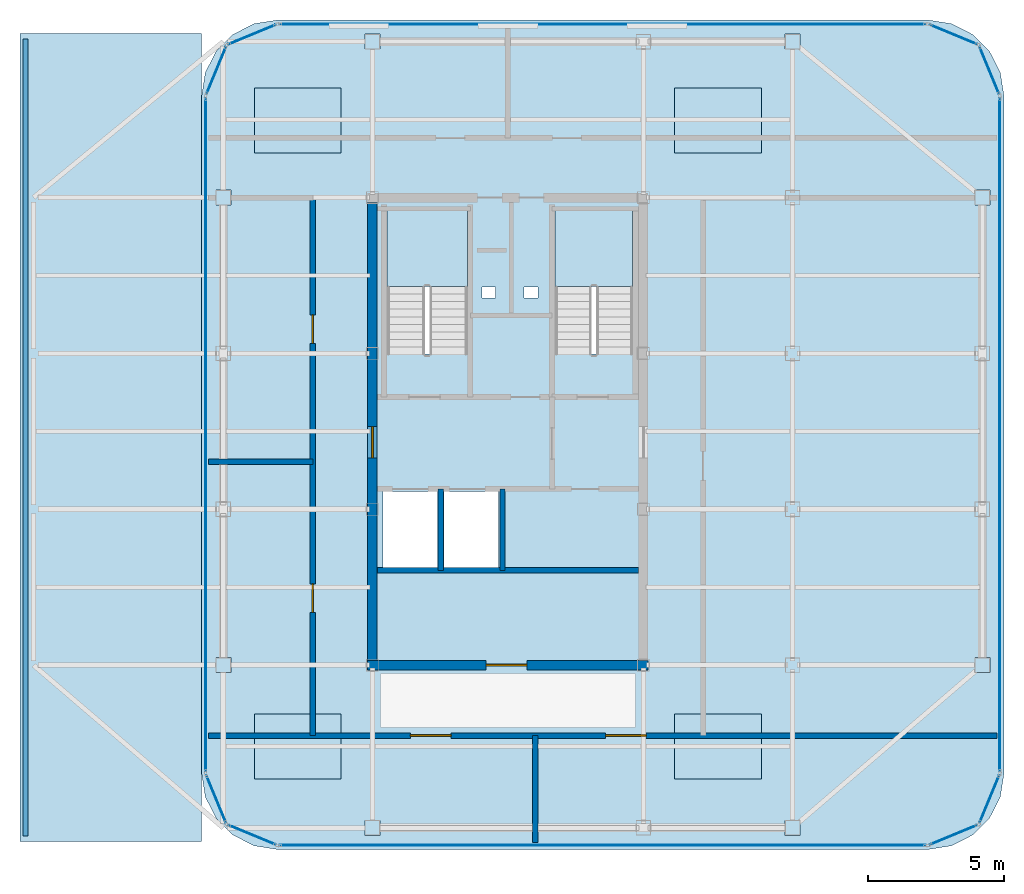
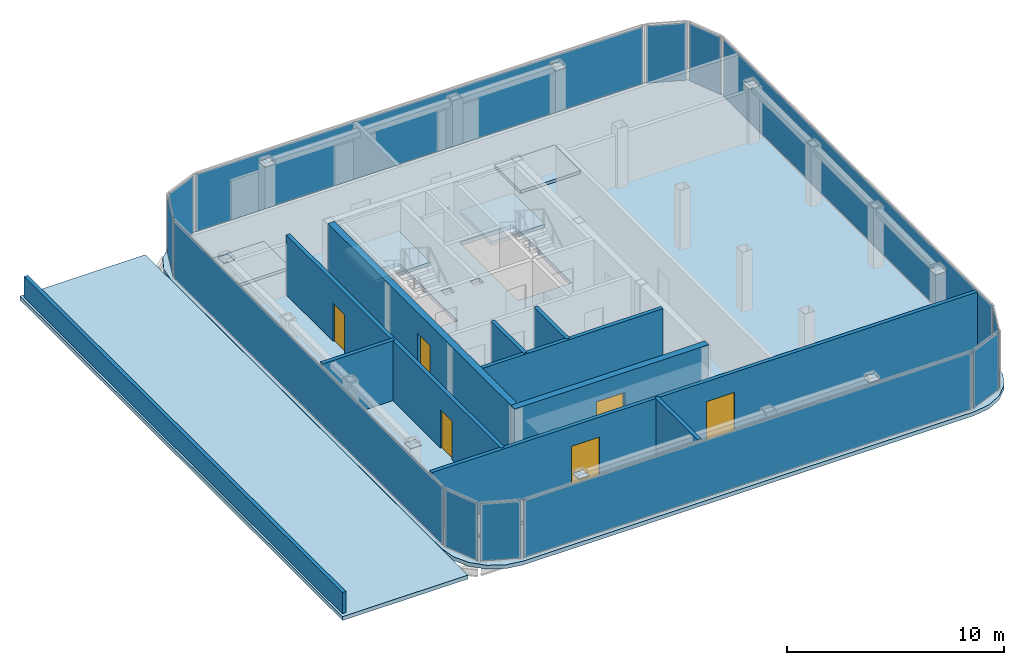
# One storey, part 9 of 11: 20 plates, 10 walls, 8 slabs, 6 doors, 6 openings, 14 elements without a shape of their own.
"""IFC4 building model written with IfcOpenShell, lengths in metres."""

from ifc_helpers import new_model, si_unit, direction, frame, frame_2d, origin, origin_2d, place, context, subcontext, project, spatial, polyline, rectangle, outline, extrude, source, transform, mapped, material, layer, layer_set, type_object, element, fill, aggregate, save


model = new_model("IFC4")

# Units and contexts
model_context = context("Model", 3, precision=1e-05, world=origin(), true_north=direction((0.0, 1.0)))
body_context = subcontext(model_context, "Body", "Model", "MODEL_VIEW")
ifc_project = project(units=[si_unit("LENGTHUNIT", "METRE"), si_unit("AREAUNIT", "SQUARE_METRE"), si_unit("VOLUMEUNIT", "CUBIC_METRE"), si_unit("PLANEANGLEUNIT", "RADIAN"), si_unit("MASSUNIT", "GRAM", prefix="KILO")], contexts=[model_context])

# Site, building, storey
site_placement = place(None, origin())
site = spatial("IfcSite", under=ifc_project, at=site_placement, CompositionType="ELEMENT")
building_placement = place(site_placement, origin())
building = spatial("IfcBuilding", under=site, at=building_placement, Name="Kolveth Station Tower", CompositionType="ELEMENT")
storey_placement = place(building_placement, frame((0.0, 0.0, 278.5)))
storey = spatial("IfcBuildingStorey", under=building, at=storey_placement, Name="L80", CompositionType="ELEMENT", Elevation=278.5)

# Slab
ifc_material_1 = material(Name="Concrete C40/50", Category="concrete")
ifc_layer_1 = layer(ifc_material_1, 0.219970703125)
ifc_layer_set_1 = layer_set([ifc_layer_1], Name="Concrete C40/50")
slab_type_1 = type_object("IfcSlabType", Name="Slab_SF-220", PredefinedType="FLOOR", material=ifc_layer_set_1)
slab_1_placement = place(storey_placement, frame((0.0, 0.0, -0.219970703125)))
element("IfcSlab", 1, at=slab_1_placement, inside=storey, type_object=slab_type_1, Name="L80 Tower Structural Floor Slab", PredefinedType="FLOOR", context=body_context, shape_type="SweptSolid", body=[
    extrude(outline(polyline([(39.0, 4.699951171875), (39.865234375, 4.8369140625), (40.645751953125, 5.23486328125), (41.26513671875, 5.854248046875), (41.6630859375, 6.634765625), (41.800048828125, 7.5), (41.800048828125, 32.5), (41.6630859375, 33.365234375), (41.26513671875, 34.145751953125), (40.645751953125, 34.76513671875), (39.865234375, 35.1630859375), (39.0, 35.300048828125), (15.0, 35.300048828125), (14.134765625, 35.1630859375), (13.354248046875, 34.76513671875), (12.73486328125, 34.145751953125), (12.3369140625, 33.365234375), (12.199951171875, 32.5), (12.199951171875, 7.5), (12.3369140625, 6.634765625), (12.73486328125, 5.854248046875), (13.354248046875, 5.23486328125), (14.134765625, 4.8369140625), (15.0, 4.699951171875), (39.0, 4.699951171875)]), holes=[polyline([(19.0400390625, 22.985107421875), (22.0, 22.985107421875), (22.0, 28.39990234375), (19.0400390625, 28.39990234375), (19.0400390625, 22.985107421875)]), polyline([(25.239990234375, 22.985107421875), (28.10009765625, 22.985107421875), (28.10009765625, 28.39990234375), (25.239990234375, 28.39990234375), (25.239990234375, 22.985107421875)]), polyline([(18.89990234375, 15.10009765625), (20.89990234375, 15.10009765625), (20.89990234375, 17.89990234375), (18.89990234375, 17.89990234375), (18.89990234375, 15.10009765625)]), polyline([(21.14990234375, 15.10009765625), (23.14990234375, 15.10009765625), (23.14990234375, 17.89990234375), (21.14990234375, 17.89990234375), (21.14990234375, 15.10009765625)]), polyline([(22.550048828125, 25.050048828125), (23.050048828125, 25.050048828125), (23.050048828125, 25.449951171875), (22.550048828125, 25.449951171875), (22.550048828125, 25.050048828125)]), polyline([(24.10009765625, 25.050048828125), (24.60009765625, 25.050048828125), (24.60009765625, 25.449951171875), (24.10009765625, 25.449951171875), (24.10009765625, 25.050048828125)])]), origin(), (0.0, 0.0, 1.0), 0.219970703125),
])

# Stair, slab
stair_type_1 = type_object("IfcStairType", Name="Stair_ST2", PredefinedType="HALF_TURN_STAIR", material=ifc_material_1)
stair_1_placement = place(storey_placement, origin())
stair_1 = element("IfcStair", 2, at=stair_1_placement, inside=storey, type_object=stair_type_1, Name="L80 Tower Exit Stair ST2", PredefinedType="HALF_TURN_STAIR")
ifc_layer_2 = layer(ifc_material_1, 0.18994140625)
ifc_layer_set_2 = layer_set([ifc_layer_2], Name="Concrete C40/50")
slab_type_2 = type_object("IfcSlabType", Name="Slab_SL-190", PredefinedType="LANDING", material=ifc_layer_set_2)
slab_2_placement = place(storey_placement, frame((0.0, 0.0, 1.60009765625)))
slab_2 = element("IfcSlab", 3, at=slab_2_placement, type_object=slab_type_2, Name="ST2 landing 1", PredefinedType="LANDING", context=body_context, shape_type="SweptSolid", body=[
    extrude(outline(polyline([(28.10009765625, 25.469970703125), (28.10009765625, 28.39990234375), (25.239990234375, 28.39990234375), (25.239990234375, 25.469970703125), (28.10009765625, 25.469970703125)])), origin(), (0.0, 0.0, 1.0), 0.199951171875),
])
aggregate(stair_1, [slab_2])

stair_type_2 = type_object("IfcStairType", Name="Stair_ST1", PredefinedType="HALF_TURN_STAIR", material=ifc_material_1)
stair_2_placement = place(storey_placement, origin())
stair_2 = element("IfcStair", 4, at=stair_2_placement, inside=storey, type_object=stair_type_2, Name="L80 Tower Exit Stair ST1", PredefinedType="HALF_TURN_STAIR")
ifc_layer_3 = layer(ifc_material_1, 0.205078125)
ifc_layer_set_3 = layer_set([ifc_layer_3], Name="Concrete C40/50")
slab_type_3 = type_object("IfcSlabType", Name="Slab_SL-205", PredefinedType="LANDING", material=ifc_layer_set_3)
slab_3_placement = place(storey_placement, frame((0.0, 0.0, 1.60009765625)))
slab_3 = element("IfcSlab", 5, at=slab_3_placement, type_object=slab_type_3, Name="ST1 landing 1", PredefinedType="LANDING", context=body_context, shape_type="SweptSolid", body=[
    extrude(outline(polyline([(22.0, 25.469970703125), (22.0, 28.39990234375), (19.0400390625, 28.39990234375), (19.0400390625, 25.469970703125), (22.0, 25.469970703125)])), origin(), (0.0, 0.0, 1.0), 0.199951171875),
])
aggregate(stair_2, [slab_3])

# Slab
ifc_layer_4 = layer(ifc_material_1, 0.219970703125)
ifc_layer_set_4 = layer_set([ifc_layer_4], Name="Concrete C40/50")
slab_type_4 = type_object("IfcSlabType", Name="Slab_SR-220", PredefinedType="ROOF", material=ifc_layer_set_4)
slab_4_placement = place(storey_placement, frame((0.0, 0.0, -0.219970703125)))
element("IfcSlab", 6, at=slab_4_placement, inside=storey, type_object=slab_type_4, Name="L80 Crown Step 2 Flat Roof Slab", PredefinedType="ROOF", context=body_context, shape_type="SweptSolid", body=[
    extrude(outline(polyline([(5.5, 5.0), (12.18994140625, 5.0), (12.18994140625, 34.800048828125), (5.5, 34.800048828125), (5.5, 5.0)])), origin(), (0.0, 0.0, 1.0), 0.219970703125),
])

# Plates
ifc_material_2 = material(Name="Steel S355", Category="steel")
ifc_layer_5 = layer(ifc_material_2, 0.028076171875)
ifc_layer_set_5 = layer_set([ifc_layer_5], Name="Steel S355")
plate_type_1 = type_object("IfcPlateType", Name="Plate_CP1", PredefinedType="USERDEFINED", material=ifc_layer_set_5)
shared_shape_1 = source(origin(), body_context, "Body", "SweptSolid", [
    extrude(rectangle(XDim=0.550048828125, YDim=0.550048828125, at=origin_2d()), origin(), (0.0, 0.0, 1.0), 0.028076171875),
])
for number, where, z_axis, x_axis, name in (
    (7, (18.5, 5.5, 3.1357421875), (0.0, 0.0, 1.0), (1.0, 0.0, 0.0), "L80 Crown Chord End Plate 1"),
    (8, (34.0, 5.5, 3.1357421875), (0.0, 0.0, 1.0), (1.0, 0.0, 0.0), "L80 Crown Chord End Plate 2"),
    (9, (18.5, 34.5, 3.1357421875), (0.0, 0.0, 1.0), (1.0, 0.0, 0.0), "L80 Crown Chord End Plate 3"),
    (10, (34.0, 34.5, 3.1357421875), (0.0, 0.0, 1.0), (1.0, 0.0, 0.0), "L80 Crown Chord End Plate 4"),
    (11, (13.0, 11.5, 3.1357421875), (0.0, 0.0, 1.0), (1.0, 0.0, 0.0), "L80 Crown Chord End Plate 5"),
    (12, (13.0, 28.75, 3.1357421875), (0.0, 0.0, 1.0), (1.0, 0.0, 0.0), "L80 Crown Chord End Plate 6"),
    (13, (41.0, 11.5, 3.1357421875), (0.0, 0.0, 1.0), (1.0, 0.0, 0.0), "L80 Crown Chord End Plate 7"),
    (14, (41.0, 28.75, 3.1357421875), (0.0, 0.0, 1.0), (1.0, 0.0, 0.0), "L80 Crown Chord End Plate 8"),
):
    element("IfcPlate", number, at=place(storey_placement, frame(where, z_axis=z_axis, x_axis=x_axis)), inside=storey, type_object=plate_type_1, Name=name, ObjectType="GUSSET_PLATE", PredefinedType="USERDEFINED", context=body_context, shape_type="MappedRepresentation", body=[
        mapped(shared_shape_1, transform((0.0, 0.0, 0.0), x_axis=(1.0, 0.0, 0.0), y_axis=(0.0, 1.0, 0.0), z_axis=(0.0, 0.0, 1.0), scale=1.0)),
    ])

# Slabs
ifc_layer_6 = layer(ifc_material_1, 0.159912109375)
ifc_layer_set_6 = layer_set([ifc_layer_6], Name="Concrete C40/50")
slab_type_5 = type_object("IfcSlabType", Name="Slab_PL-160", PredefinedType="FLOOR", material=ifc_layer_set_6)
shared_shape_2 = source(origin(), body_context, "Body", "SweptSolid", [
    extrude(rectangle(XDim=3.199951171875, YDim=2.39990234375, at=origin_2d()), origin(), (0.0, 0.0, 1.0), 0.159912109375),
])
for number, where, z_axis, x_axis, name in (
    (15, (15.75, 8.5, 0.0), (0.0, 0.0, 1.0), (1.0, 0.0, 0.0), "L80 High-Altitude Plant Plinth 1"),
    (16, (31.25, 8.5, 0.0), (0.0, 0.0, 1.0), (1.0, 0.0, 0.0), "L80 High-Altitude Plant Plinth 2"),
    (17, (15.75, 31.60009765625, 0.0), (0.0, 0.0, 1.0), (1.0, 0.0, 0.0), "L80 High-Altitude Plant Plinth 3"),
    (18, (31.25, 31.60009765625, 0.0), (0.0, 0.0, 1.0), (1.0, 0.0, 0.0), "L80 High-Altitude Plant Plinth 4"),
):
    element("IfcSlab", number, at=place(storey_placement, frame(where, z_axis=z_axis, x_axis=x_axis)), inside=storey, type_object=slab_type_5, Name=name, PredefinedType="FLOOR", context=body_context, shape_type="MappedRepresentation", body=[
        mapped(shared_shape_2, transform((0.0, 0.0, 0.0), x_axis=(1.0, 0.0, 0.0), y_axis=(0.0, 1.0, 0.0), z_axis=(0.0, 0.0, 1.0), scale=1.0)),
    ])

# Curtain wall, plate
ifc_material_3 = material(Name="Black anodized aluminium 6063-T6 and dark crown glass", Category="aluminium")
ifc_layer_7 = layer(ifc_material_3, 0.169921875)
ifc_layer_set_7 = layer_set([ifc_layer_7], Name="Black anodized aluminium 6063-T6 and dark crown glass")
curtain_wall_type = type_object("IfcCurtainWallType", Name="CurtainWall_CW-CR", PredefinedType="NOTDEFINED", material=ifc_layer_set_7)
curtain_wall_1_placement = place(storey_placement, origin())
curtain_wall_1 = element("IfcCurtainWall", 19, at=curtain_wall_1_placement, inside=storey, type_object=curtain_wall_type, Name="L80 Stepped Crown Curtain Wall 1", PredefinedType="NOTDEFINED")
ifc_material_4 = material(Name="Architectural low-E dark glass", Category="glass")
ifc_layer_8 = layer(ifc_material_4, 0.033935546875)
ifc_layer_set_8 = layer_set([ifc_layer_8], Name="Architectural low-E dark glass")
plate_type_2 = type_object("IfcPlateType", Name="Panel_GL-CR", PredefinedType="CURTAIN_PANEL", material=ifc_layer_set_8)
shared_shape_3 = source(origin(), body_context, "Body", "SweptSolid", [
    extrude(rectangle(XDim=1.872314453125, YDim=0.033935546875, at=origin_2d()), origin(), (0.0, 0.0, 1.0), 3.23388671875),
])
plate_1_placement = place(storey_placement, frame((39.93701171875, 5.238037109375, 0.072998046875), z_axis=(0.0, 0.0, 1.0), x_axis=(0.92387140439, 0.382703054797, 0.0)))
plate_1 = element("IfcPlate", 20, at=plate_1_placement, type_object=plate_type_2, Name="CW-CR panel 1.1", PredefinedType="CURTAIN_PANEL", context=body_context, shape_type="MappedRepresentation", body=[
    mapped(shared_shape_3, transform((0.0, 0.0, 0.0), x_axis=(1.0, 0.0, 0.0), y_axis=(0.0, 1.0, 0.0), z_axis=(0.0, 0.0, 1.0), scale=1.0)),
])
aggregate(curtain_wall_1, [plate_1])

curtain_wall_2_placement = place(storey_placement, origin())
curtain_wall_2 = element("IfcCurtainWall", 21, at=curtain_wall_2_placement, inside=storey, type_object=curtain_wall_type, Name="L80 Stepped Crown Curtain Wall 2", PredefinedType="NOTDEFINED")
plate_2_placement = place(storey_placement, frame((41.261962890625, 6.56298828125, 0.072998046875), z_axis=(0.0, 0.0, 1.0), x_axis=(0.382703054797, 0.92387140439, 0.0)))
plate_2 = element("IfcPlate", 22, at=plate_2_placement, type_object=plate_type_2, Name="CW-CR panel 1.1", PredefinedType="CURTAIN_PANEL", context=body_context, shape_type="MappedRepresentation", body=[
    mapped(shared_shape_3, transform((0.0, 0.0, 0.0), x_axis=(1.0, 0.0, 0.0), y_axis=(0.0, 1.0, 0.0), z_axis=(0.0, 0.0, 1.0), scale=1.0)),
])
aggregate(curtain_wall_2, [plate_2])

curtain_wall_3_placement = place(storey_placement, origin())
curtain_wall_3 = element("IfcCurtainWall", 23, at=curtain_wall_3_placement, inside=storey, type_object=curtain_wall_type, Name="L80 Stepped Crown Curtain Wall 4", PredefinedType="NOTDEFINED")
plate_3_placement = place(storey_placement, frame((41.261962890625, 33.43701171875, 0.072998046875), z_axis=(0.0, 0.0, 1.0), x_axis=(-0.382703054797, 0.92387140439, 0.0)))
plate_3 = element("IfcPlate", 24, at=plate_3_placement, type_object=plate_type_2, Name="CW-CR panel 1.1", PredefinedType="CURTAIN_PANEL", context=body_context, shape_type="MappedRepresentation", body=[
    mapped(shared_shape_3, transform((0.0, 0.0, 0.0), x_axis=(1.0, 0.0, 0.0), y_axis=(0.0, 1.0, 0.0), z_axis=(0.0, 0.0, 1.0), scale=1.0)),
])
aggregate(curtain_wall_3, [plate_3])

curtain_wall_4_placement = place(storey_placement, origin())
curtain_wall_4 = element("IfcCurtainWall", 25, at=curtain_wall_4_placement, inside=storey, type_object=curtain_wall_type, Name="L80 Stepped Crown Curtain Wall 5", PredefinedType="NOTDEFINED")
plate_4_placement = place(storey_placement, frame((39.93701171875, 34.761962890625, 0.072998046875), z_axis=(0.0, 0.0, 1.0), x_axis=(-0.92387140439, 0.382703054797, 0.0)))
plate_4 = element("IfcPlate", 26, at=plate_4_placement, type_object=plate_type_2, Name="CW-CR panel 1.1", PredefinedType="CURTAIN_PANEL", context=body_context, shape_type="MappedRepresentation", body=[
    mapped(shared_shape_3, transform((0.0, 0.0, 0.0), x_axis=(1.0, 0.0, 0.0), y_axis=(0.0, 1.0, 0.0), z_axis=(0.0, 0.0, 1.0), scale=1.0)),
])
aggregate(curtain_wall_4, [plate_4])

curtain_wall_5_placement = place(storey_placement, origin())
curtain_wall_5 = element("IfcCurtainWall", 27, at=curtain_wall_5_placement, inside=storey, type_object=curtain_wall_type, Name="L80 Stepped Crown Curtain Wall 7", PredefinedType="NOTDEFINED")
plate_5_placement = place(storey_placement, frame((14.06298828125, 34.761962890625, 0.072998046875), z_axis=(0.0, 0.0, 1.0), x_axis=(-0.92387140439, -0.382703054797, 0.0)))
plate_5 = element("IfcPlate", 28, at=plate_5_placement, type_object=plate_type_2, Name="CW-CR panel 1.1", PredefinedType="CURTAIN_PANEL", context=body_context, shape_type="MappedRepresentation", body=[
    mapped(shared_shape_3, transform((0.0, 0.0, 0.0), x_axis=(1.0, 0.0, 0.0), y_axis=(0.0, 1.0, 0.0), z_axis=(0.0, 0.0, 1.0), scale=1.0)),
])
aggregate(curtain_wall_5, [plate_5])

curtain_wall_6_placement = place(storey_placement, origin())
curtain_wall_6 = element("IfcCurtainWall", 29, at=curtain_wall_6_placement, inside=storey, type_object=curtain_wall_type, Name="L80 Stepped Crown Curtain Wall 8", PredefinedType="NOTDEFINED")
plate_6_placement = place(storey_placement, frame((12.738037109375, 33.43701171875, 0.072998046875), z_axis=(0.0, 0.0, 1.0), x_axis=(-0.382703054797, -0.92387140439, 0.0)))
plate_6 = element("IfcPlate", 30, at=plate_6_placement, type_object=plate_type_2, Name="CW-CR panel 1.1", PredefinedType="CURTAIN_PANEL", context=body_context, shape_type="MappedRepresentation", body=[
    mapped(shared_shape_3, transform((0.0, 0.0, 0.0), x_axis=(1.0, 0.0, 0.0), y_axis=(0.0, 1.0, 0.0), z_axis=(0.0, 0.0, 1.0), scale=1.0)),
])
aggregate(curtain_wall_6, [plate_6])

curtain_wall_7_placement = place(storey_placement, origin())
curtain_wall_7 = element("IfcCurtainWall", 31, at=curtain_wall_7_placement, inside=storey, type_object=curtain_wall_type, Name="L80 Stepped Crown Curtain Wall 10", PredefinedType="NOTDEFINED")
plate_7_placement = place(storey_placement, frame((12.738037109375, 6.56298828125, 0.072998046875), z_axis=(0.0, 0.0, 1.0), x_axis=(0.382703054797, -0.92387140439, 0.0)))
plate_7 = element("IfcPlate", 32, at=plate_7_placement, type_object=plate_type_2, Name="CW-CR panel 1.1", PredefinedType="CURTAIN_PANEL", context=body_context, shape_type="MappedRepresentation", body=[
    mapped(shared_shape_3, transform((0.0, 0.0, 0.0), x_axis=(1.0, 0.0, 0.0), y_axis=(0.0, 1.0, 0.0), z_axis=(0.0, 0.0, 1.0), scale=1.0)),
])
aggregate(curtain_wall_7, [plate_7])

curtain_wall_8_placement = place(storey_placement, origin())
curtain_wall_8 = element("IfcCurtainWall", 33, at=curtain_wall_8_placement, inside=storey, type_object=curtain_wall_type, Name="L80 Stepped Crown Curtain Wall 11", PredefinedType="NOTDEFINED")
plate_8_placement = place(storey_placement, frame((14.06298828125, 5.238037109375, 0.072998046875), z_axis=(0.0, 0.0, 1.0), x_axis=(0.92387140439, -0.382703054797, 0.0)))
plate_8 = element("IfcPlate", 34, at=plate_8_placement, type_object=plate_type_2, Name="CW-CR panel 1.1", PredefinedType="CURTAIN_PANEL", context=body_context, shape_type="MappedRepresentation", body=[
    mapped(shared_shape_3, transform((0.0, 0.0, 0.0), x_axis=(1.0, 0.0, 0.0), y_axis=(0.0, 1.0, 0.0), z_axis=(0.0, 0.0, 1.0), scale=1.0)),
])
aggregate(curtain_wall_8, [plate_8])

curtain_wall_9_placement = place(storey_placement, origin())
curtain_wall_9 = element("IfcCurtainWall", 35, at=curtain_wall_9_placement, inside=storey, type_object=curtain_wall_type, Name="L80 Stepped Crown Curtain Wall 3", PredefinedType="NOTDEFINED")
shared_shape_4 = source(origin(), body_context, "Body", "SweptSolid", [
    extrude(rectangle(XDim=24.843994140625, YDim=0.033935546875, at=origin_2d()), origin(), (0.0, 0.0, 1.0), 3.23388671875),
])
plate_9_placement = place(storey_placement, frame((41.64990234375, 20.0, 0.072998046875), z_axis=(0.0, 0.0, 1.0), x_axis=(0.0, 1.0, 0.0)))
plate_9 = element("IfcPlate", 36, at=plate_9_placement, type_object=plate_type_2, Name="CW-CR panel 1.1", PredefinedType="CURTAIN_PANEL", context=body_context, shape_type="MappedRepresentation", body=[
    mapped(shared_shape_4, transform((0.0, 0.0, 0.0), x_axis=(1.0, 0.0, 0.0), y_axis=(0.0, 1.0, 0.0), z_axis=(0.0, 0.0, 1.0), scale=1.0)),
])
aggregate(curtain_wall_9, [plate_9])

curtain_wall_10_placement = place(storey_placement, origin())
curtain_wall_10 = element("IfcCurtainWall", 37, at=curtain_wall_10_placement, inside=storey, type_object=curtain_wall_type, Name="L80 Stepped Crown Curtain Wall 9", PredefinedType="NOTDEFINED")
plate_10_placement = place(storey_placement, frame((12.35009765625, 20.0, 0.072998046875), z_axis=(0.0, 0.0, 1.0), x_axis=(0.0, -1.0, 0.0)))
plate_10 = element("IfcPlate", 38, at=plate_10_placement, type_object=plate_type_2, Name="CW-CR panel 1.1", PredefinedType="CURTAIN_PANEL", context=body_context, shape_type="MappedRepresentation", body=[
    mapped(shared_shape_4, transform((0.0, 0.0, 0.0), x_axis=(1.0, 0.0, 0.0), y_axis=(0.0, 1.0, 0.0), z_axis=(0.0, 0.0, 1.0), scale=1.0)),
])
aggregate(curtain_wall_10, [plate_10])

curtain_wall_11_placement = place(storey_placement, origin())
curtain_wall_11 = element("IfcCurtainWall", 39, at=curtain_wall_11_placement, inside=storey, type_object=curtain_wall_type, Name="L80 Stepped Crown Curtain Wall 6", PredefinedType="NOTDEFINED")
shared_shape_5 = source(origin(), body_context, "Body", "SweptSolid", [
    extrude(rectangle(XDim=23.843994140625, YDim=0.033935546875, at=origin_2d()), origin(), (0.0, 0.0, 1.0), 3.23388671875),
])
plate_11_placement = place(storey_placement, frame((27.0, 35.14990234375, 0.072998046875), z_axis=(0.0, 0.0, 1.0), x_axis=(-1.0, 0.0, 0.0)))
plate_11 = element("IfcPlate", 40, at=plate_11_placement, type_object=plate_type_2, Name="CW-CR panel 1.1", PredefinedType="CURTAIN_PANEL", context=body_context, shape_type="MappedRepresentation", body=[
    mapped(shared_shape_5, transform((0.0, 0.0, 0.0), x_axis=(1.0, 0.0, 0.0), y_axis=(0.0, 1.0, 0.0), z_axis=(0.0, 0.0, 1.0), scale=1.0)),
])
aggregate(curtain_wall_11, [plate_11])

curtain_wall_12_placement = place(storey_placement, origin())
curtain_wall_12 = element("IfcCurtainWall", 41, at=curtain_wall_12_placement, inside=storey, type_object=curtain_wall_type, Name="L80 Stepped Crown Curtain Wall 12", PredefinedType="NOTDEFINED")
plate_12_placement = place(storey_placement, frame((27.0, 4.85009765625, 0.072998046875), z_axis=(0.0, 0.0, 1.0), x_axis=(1.0, 0.0, 0.0)))
plate_12 = element("IfcPlate", 42, at=plate_12_placement, type_object=plate_type_2, Name="CW-CR panel 1.1", PredefinedType="CURTAIN_PANEL", context=body_context, shape_type="MappedRepresentation", body=[
    mapped(shared_shape_5, transform((0.0, 0.0, 0.0), x_axis=(1.0, 0.0, 0.0), y_axis=(0.0, 1.0, 0.0), z_axis=(0.0, 0.0, 1.0), scale=1.0)),
])
aggregate(curtain_wall_12, [plate_12])

# Wall, opening, door
ifc_material_5 = material(Name="Concrete C50/60", Category="concrete")
ifc_layer_9 = layer(ifc_material_5, 0.35009765625)
ifc_layer_set_9 = layer_set([ifc_layer_9], Name="Concrete C50/60")
wall_type_1 = type_object("IfcWallType", Name="Wall_CW-350", PredefinedType="SHEAR", material=ifc_layer_set_9)
wall_1_placement = place(storey_placement, frame((18.324951171875, 11.5, 0.0), z_axis=(0.0, 0.0, 1.0), x_axis=(1.0, 0.0, 0.0)))
wall_1 = element("IfcWall", 43, at=wall_1_placement, inside=storey, type_object=wall_type_1, Name="L80 Core RC Shear Wall S", PredefinedType="SHEAR", context=body_context, shape_type="SweptSolid", body=[
    extrude(rectangle(XDim=10.35009765625, YDim=0.35009765625, at=frame_2d((5.175048828125, 0.0))), origin(), (0.0, 0.0, 1.0), 3.3798828125),
])
opening_1_placement = place(wall_1_placement, frame((4.375, 0.0, 0.0)))
opening_1 = element("IfcOpeningElement", 44, at=opening_1_placement, cuts=wall_1, Name="Opening FD4", PredefinedType="OPENING", context=body_context, shape_type="SweptSolid", body=[
    extrude(rectangle(XDim=1.5, YDim=2.25, at=frame_2d((0.75, 1.125))), frame((0.0, 0.18505859375, 0.0), z_axis=(0.0, -1.0, 0.0), x_axis=(1.0, 0.0, 0.0)), (0.0, 0.0, 1.0), 0.3701171875),
])
ifc_material_6 = material(Name="Fire-rated double Steel S355 leaf", Category="steel")
door_type_1 = type_object("IfcDoorType", Name="Door_FD4", OperationType="NOTDEFINED", PredefinedType="DOOR", material=ifc_material_6)
door_1_placement = place(opening_1_placement, frame((1.5, 0.0, 0.0), z_axis=(0.0, 0.0, 1.0), x_axis=(-1.0, 0.0, 0.0)))
door_1 = element("IfcDoor", 45, at=door_1_placement, inside=storey, type_object=door_type_1, Name="L80 Fan Plant Double Door", OperationType="DOUBLE_DOOR_SINGLE_SWING", OverallHeight=2.25, OverallWidth=1.5, PredefinedType="DOOR", context=body_context, shape_type="SweptSolid", body=[
    extrude(rectangle(XDim=1.5, YDim=2.25, at=frame_2d((0.75, 1.125))), frame((0.0, 0.02490234375, 0.0), z_axis=(0.0, -1.0, 0.0), x_axis=(1.0, 0.0, 0.0)), (0.0, 0.0, 1.0), 0.050048828125),
])
fill(opening_1, door_1)

wall_2_placement = place(storey_placement, frame((18.5, 11.675048828125, 0.0), z_axis=(0.0, 0.0, 1.0), x_axis=(0.0, 1.0, 0.0)))
wall_2 = element("IfcWall", 46, at=wall_2_placement, inside=storey, type_object=wall_type_1, Name="L80 Core RC Shear Wall W", PredefinedType="SHEAR", context=body_context, shape_type="SweptSolid", body=[
    extrude(rectangle(XDim=16.89990234375, YDim=0.35009765625, at=frame_2d((8.449951171875, 0.0))), origin(), (0.0, 0.0, 1.0), 3.3798828125),
])
opening_2_placement = place(wall_2_placement, frame((7.47509765625, 0.0, 0.0)))
opening_2 = element("IfcOpeningElement", 47, at=opening_2_placement, cuts=wall_2, Name="Opening FD1", PredefinedType="OPENING", context=body_context, shape_type="SweptSolid", body=[
    extrude(rectangle(XDim=1.14990234375, YDim=2.199951171875, at=frame_2d((0.574951171875, 1.10009765625))), frame((0.0, 0.18505859375, 0.0), z_axis=(0.0, -1.0, 0.0), x_axis=(1.0, 0.0, 0.0)), (0.0, 0.0, 1.0), 0.3701171875),
])
ifc_material_7 = material(Name="Fire-rated Steel S355 leaf and frame", Category="steel")
door_type_2 = type_object("IfcDoorType", Name="Door_FD1", OperationType="NOTDEFINED", PredefinedType="DOOR", material=ifc_material_7)
door_2_placement = place(opening_2_placement, frame((1.14990234375, 0.0, 0.0), z_axis=(0.0, 0.0, 1.0), x_axis=(-1.0, 0.0, 0.0)))
door_2 = element("IfcDoor", 48, at=door_2_placement, inside=storey, type_object=door_type_2, Name="L80 West Corridor to Firefighting Lobby Door", OperationType="SINGLE_SWING_LEFT", OverallHeight=2.199951171875, OverallWidth=1.14990234375, PredefinedType="DOOR", context=body_context, shape_type="SweptSolid", body=[
    extrude(rectangle(XDim=1.14990234375, YDim=2.199951171875, at=frame_2d((0.574951171875, 1.10009765625))), frame((0.0, 0.02490234375, 0.0), z_axis=(0.0, -1.0, 0.0), x_axis=(1.0, 0.0, 0.0)), (0.0, 0.0, 1.0), 0.050048828125),
])
fill(opening_2, door_2)

# Walls
ifc_material_8 = material(Name="Acoustic fire-rated gypsum blockwork", Category="masonry")
ifc_layer_10 = layer(ifc_material_8, 0.199951171875)
ifc_layer_set_10 = layer_set([ifc_layer_10], Name="Acoustic fire-rated gypsum blockwork")
wall_type_2 = type_object("IfcWallType", Name="Wall_IW-200", PredefinedType="PARTITIONING", material=ifc_layer_set_10)
for number, where, z_axis, x_axis, name in (
    (49, (21.02001953125, 15.0, 0.0), (0.0, 0.0, 1.0), (0.0, 1.0, 0.0), "L80 Partition Wall WL-L80-FF12"),
    (50, (23.300048828125, 15.0, 0.0), (0.0, 0.0, 1.0), (0.0, 1.0, 0.0), "L80 Partition Wall WL-L80-FF2E"),
):
    element("IfcWall", number, at=place(storey_placement, frame(where, z_axis=z_axis, x_axis=x_axis)), inside=storey, type_object=wall_type_2, Name=name, PredefinedType="PARTITIONING", context=body_context, shape_type="SweptSolid", body=[
        extrude(rectangle(XDim=3.0, YDim=0.199951171875, at=frame_2d((1.5, 0.0))), origin(), (0.0, 0.0, 1.0), 3.3798828125),
    ])
wall_3_placement = place(storey_placement, frame((18.68505859375, 15.0, 0.0), z_axis=(0.0, 0.0, 1.0), x_axis=(1.0, 0.0, 0.0)))
element("IfcWall", 51, at=wall_3_placement, inside=storey, type_object=wall_type_2, Name="L80 Partition Wall WL-L80-BOH-S", PredefinedType="PARTITIONING", context=body_context, shape_type="SweptSolid", body=[
    extrude(rectangle(XDim=9.6298828125, YDim=0.199951171875, at=frame_2d((4.81494140625, 0.0))), origin(), (0.0, 0.0, 1.0), 3.3798828125),
])

# Wall, openings, doors
wall_4_placement = place(storey_placement, frame((12.449951171875, 8.89990234375, 0.0), z_axis=(0.0, 0.0, 1.0), x_axis=(1.0, 0.0, 0.0)))
wall_4 = element("IfcWall", 52, at=wall_4_placement, inside=storey, type_object=wall_type_2, Name="L80 Partition Wall WL-L80-PR-S", PredefinedType="PARTITIONING", context=body_context, shape_type="SweptSolid", body=[
    extrude(rectangle(XDim=29.10009765625, YDim=0.199951171875, at=frame_2d((14.550048828125, 0.0))), origin(), (0.0, 0.0, 1.0), 3.3798828125),
])
opening_3_placement = place(wall_4_placement, frame((7.449951171875, 0.0, 0.0)))
opening_3 = element("IfcOpeningElement", 53, at=opening_3_placement, cuts=wall_4, Name="Opening FD4", PredefinedType="OPENING", context=body_context, shape_type="SweptSolid", body=[
    extrude(rectangle(XDim=1.5, YDim=2.25, at=frame_2d((0.75, 1.125))), frame((0.0, 0.10986328125, 0.0), z_axis=(0.0, -1.0, 0.0), x_axis=(1.0, 0.0, 0.0)), (0.0, 0.0, 1.0), 0.219970703125),
])
opening_4_placement = place(wall_4_placement, frame((14.64990234375, 0.0, 0.0)))
opening_4 = element("IfcOpeningElement", 54, at=opening_4_placement, cuts=wall_4, Name="Opening FD4", PredefinedType="OPENING", context=body_context, shape_type="SweptSolid", body=[
    extrude(rectangle(XDim=1.5, YDim=2.25, at=frame_2d((0.75, 1.125))), frame((0.0, 0.10986328125, 0.0), z_axis=(0.0, -1.0, 0.0), x_axis=(1.0, 0.0, 0.0)), (0.0, 0.0, 1.0), 0.219970703125),
])
door_3_placement = place(opening_3_placement, frame((1.5, 0.0, 0.0), z_axis=(0.0, 0.0, 1.0), x_axis=(-1.0, 0.0, 0.0)))
door_3 = element("IfcDoor", 55, at=door_3_placement, inside=storey, type_object=door_type_1, Name="L80 High-Altitude Chiller Plant Room Door", OperationType="SINGLE_SWING_LEFT", OverallHeight=2.25, OverallWidth=1.5, PredefinedType="DOOR", context=body_context, shape_type="SweptSolid", body=[
    extrude(rectangle(XDim=1.5, YDim=2.25, at=frame_2d((0.75, 1.125))), frame((0.0, 0.02490234375, 0.0), z_axis=(0.0, -1.0, 0.0), x_axis=(1.0, 0.0, 0.0)), (0.0, 0.0, 1.0), 0.050048828125),
])
fill(opening_3, door_3)
door_4_placement = place(opening_4_placement, frame((1.5, 0.0, 0.0), z_axis=(0.0, 0.0, 1.0), x_axis=(-1.0, 0.0, 0.0)))
door_4 = element("IfcDoor", 56, at=door_4_placement, inside=storey, type_object=door_type_1, Name="L80 Standby Generator Plant Room Door", OperationType="SINGLE_SWING_RIGHT", OverallHeight=2.25, OverallWidth=1.5, PredefinedType="DOOR", context=body_context, shape_type="SweptSolid", body=[
    extrude(rectangle(XDim=1.5, YDim=2.25, at=frame_2d((0.75, 1.125))), frame((0.0, 0.02490234375, 0.0), z_axis=(0.0, -1.0, 0.0), x_axis=(1.0, 0.0, 0.0)), (0.0, 0.0, 1.0), 0.050048828125),
])
fill(opening_4, door_4)

wall_5_placement = place(storey_placement, frame((16.300048828125, 8.89990234375, 0.0), z_axis=(0.0, 0.0, 1.0), x_axis=(0.0, 1.0, 0.0)))
wall_5 = element("IfcWall", 57, at=wall_5_placement, inside=storey, type_object=wall_type_2, Name="L80 Partition Wall WL-L80-PR-W", PredefinedType="PARTITIONING", context=body_context, shape_type="SweptSolid", body=[
    extrude(rectangle(XDim=19.85009765625, YDim=0.199951171875, at=frame_2d((9.925048828125, 0.0))), origin(), (0.0, 0.0, 1.0), 3.3798828125),
])
opening_5_placement = place(wall_5_placement, frame((4.550048828125, 0.0, 0.0)))
opening_5 = element("IfcOpeningElement", 58, at=opening_5_placement, cuts=wall_5, Name="Opening FD2", PredefinedType="OPENING", context=body_context, shape_type="SweptSolid", body=[
    extrude(rectangle(XDim=1.050048828125, YDim=2.14990234375, at=frame_2d((0.52490234375, 1.074951171875))), frame((0.0, 0.10986328125, 0.0), z_axis=(0.0, -1.0, 0.0), x_axis=(1.0, 0.0, 0.0)), (0.0, 0.0, 1.0), 0.219970703125),
])
opening_6_placement = place(wall_5_placement, frame((14.47509765625, 0.0, 0.0)))
opening_6 = element("IfcOpeningElement", 59, at=opening_6_placement, cuts=wall_5, Name="Opening FD2", PredefinedType="OPENING", context=body_context, shape_type="SweptSolid", body=[
    extrude(rectangle(XDim=1.050048828125, YDim=2.14990234375, at=frame_2d((0.52490234375, 1.074951171875))), frame((0.0, 0.10986328125, 0.0), z_axis=(0.0, -1.0, 0.0), x_axis=(1.0, 0.0, 0.0)), (0.0, 0.0, 1.0), 0.219970703125),
])
door_type_3 = type_object("IfcDoorType", Name="Door_FD2", OperationType="NOTDEFINED", PredefinedType="DOOR", material=ifc_material_7)
door_5_placement = place(opening_5_placement, frame((1.050048828125, 0.0, 0.0), z_axis=(0.0, 0.0, 1.0), x_axis=(-1.0, 0.0, 0.0)))
door_5 = element("IfcDoor", 60, at=door_5_placement, inside=storey, type_object=door_type_3, Name="L80 Air Handling Plant Room Door", OperationType="SINGLE_SWING_LEFT", OverallHeight=2.14990234375, OverallWidth=1.050048828125, PredefinedType="DOOR", context=body_context, shape_type="SweptSolid", body=[
    extrude(rectangle(XDim=1.050048828125, YDim=2.14990234375, at=frame_2d((0.52490234375, 1.074951171875))), frame((0.0, 0.02490234375, 0.0), z_axis=(0.0, -1.0, 0.0), x_axis=(1.0, 0.0, 0.0)), (0.0, 0.0, 1.0), 0.050048828125),
])
fill(opening_5, door_5)
door_6_placement = place(opening_6_placement, frame((1.050048828125, 0.0, 0.0), z_axis=(0.0, 0.0, 1.0), x_axis=(-1.0, 0.0, 0.0)))
door_6 = element("IfcDoor", 61, at=door_6_placement, inside=storey, type_object=door_type_3, Name="L80 Heat Recovery Plant Room Door", OperationType="SINGLE_SWING_RIGHT", OverallHeight=2.14990234375, OverallWidth=1.050048828125, PredefinedType="DOOR", context=body_context, shape_type="SweptSolid", body=[
    extrude(rectangle(XDim=1.050048828125, YDim=2.14990234375, at=frame_2d((0.52490234375, 1.074951171875))), frame((0.0, 0.02490234375, 0.0), z_axis=(0.0, -1.0, 0.0), x_axis=(1.0, 0.0, 0.0)), (0.0, 0.0, 1.0), 0.050048828125),
])
fill(opening_6, door_6)

# Walls
wall_6_placement = place(storey_placement, frame((24.5, 4.949951171875, 0.0), z_axis=(0.0, 0.0, 1.0), x_axis=(0.0, 1.0, 0.0)))
element("IfcWall", 62, at=wall_6_placement, inside=storey, type_object=wall_type_2, Name="L80 Partition Wall WL-L80-CS-P1", PredefinedType="PARTITIONING", context=body_context, shape_type="SweptSolid", body=[
    extrude(rectangle(XDim=3.949951171875, YDim=0.199951171875, at=frame_2d((1.97509765625, 0.0))), origin(), (0.0, 0.0, 1.0), 3.3798828125),
])
wall_7_placement = place(storey_placement, frame((12.449951171875, 19.0, 0.0), z_axis=(0.0, 0.0, 1.0), x_axis=(1.0, 0.0, 0.0)))
element("IfcWall", 63, at=wall_7_placement, inside=storey, type_object=wall_type_2, Name="L80 Partition Wall WL-L80-CW-P1", PredefinedType="PARTITIONING", context=body_context, shape_type="SweptSolid", body=[
    extrude(rectangle(XDim=3.85009765625, YDim=0.199951171875, at=frame_2d((1.925048828125, 0.0))), origin(), (0.0, 0.0, 1.0), 3.3798828125),
])
ifc_material_9 = material(Name="Precast concrete C40/50", Category="concrete")
ifc_layer_11 = layer(ifc_material_9, 0.18994140625)
ifc_layer_set_11 = layer_set([ifc_layer_11], Name="Precast concrete C40/50")
wall_type_3 = type_object("IfcWallType", Name="Wall_PR-190", PredefinedType="PARAPET", material=ifc_layer_set_11)
wall_8_placement = place(storey_placement, frame((5.699951171875, 5.199951171875, 0.0), z_axis=(0.0, 0.0, 1.0), x_axis=(0.0, 1.0, 0.0)))
element("IfcWall", 64, at=wall_8_placement, inside=storey, type_object=wall_type_3, Name="L80 Crown Step 2 Parapet", PredefinedType="PARAPET", context=body_context, shape_type="SweptSolid", body=[
    extrude(rectangle(XDim=29.400146484375, YDim=0.18994140625, at=frame_2d((14.7001953125, 0.0))), origin(), (0.0, 0.0, 1.0), 1.199951171875),
])

save(model, "model.ifc")
